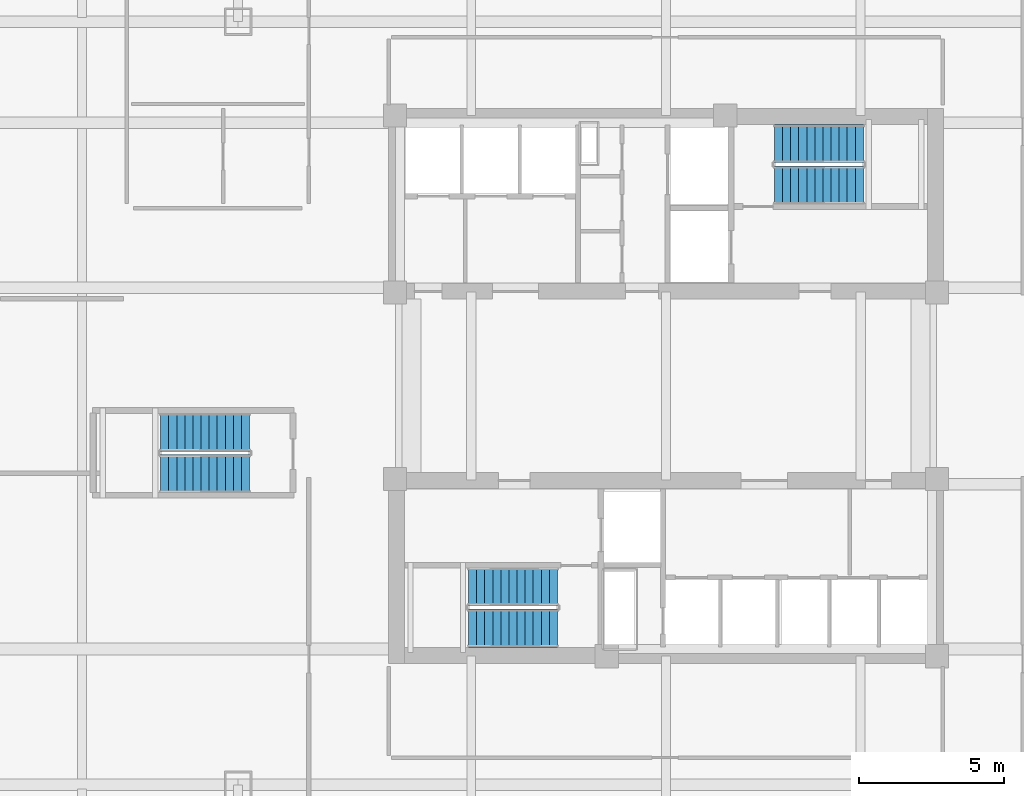
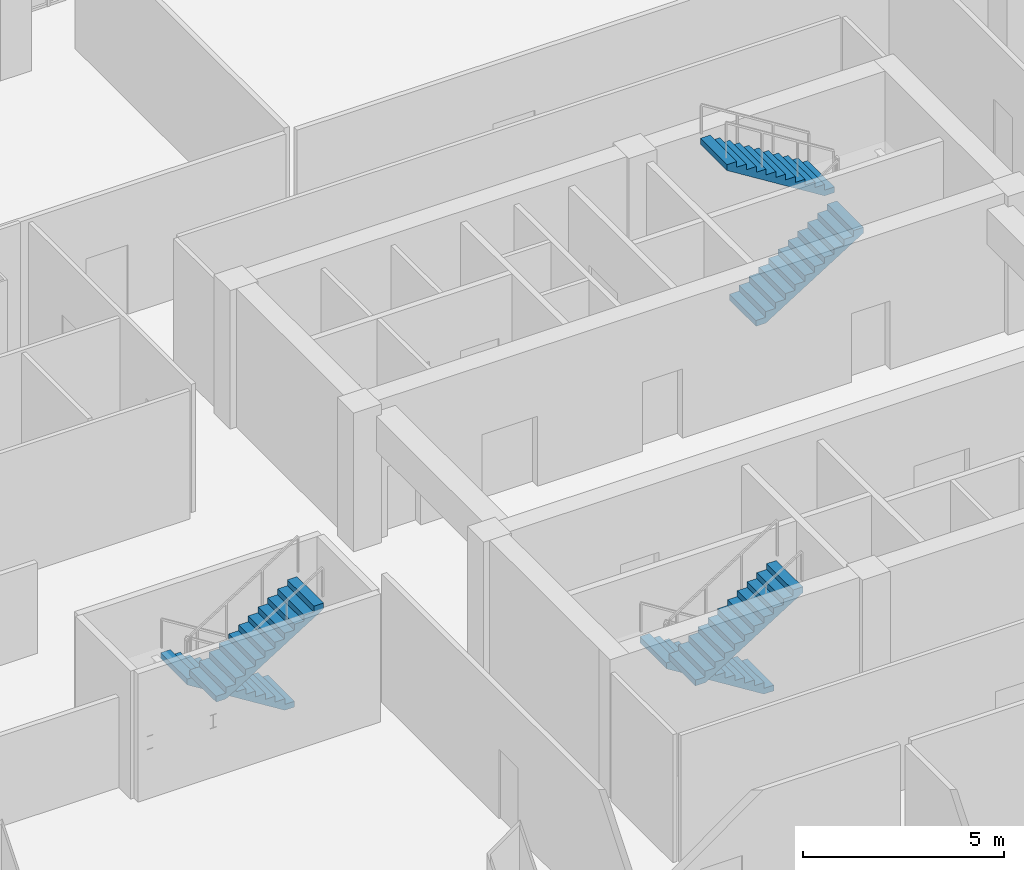
# One storey, part 15 of 21: 6 stair flights, 3 elements without a shape of their own.
"""IFC4 building model written with IfcOpenShell, lengths in metres."""

import ifcopenshell
import ifcopenshell.guid

model = None  # the IFC model being written
_history = None  # IfcOwnerHistory: only IFC2X3 demands one
_inside = {}  # id of a spatial element -> (the spatial element, [elements in it])
_under = {}  # id of a project, library or spatial element -> (it, [spatial elements below it])
_declared = {}  # id of a project -> (the project, [libraries it declares])
_typed = {}  # id of a type object -> (the type object, [elements of that type])
_made_of = {}  # id of a material, layer set ... -> (it, [elements and type objects made of it])


def new_model(schema):
    """Start an empty IFC model of exactly this schema.

    Asked for "IFC4X3", IfcOpenShell would pick the latest addendum, in which some entities
    have other attributes; the version numbers below select the first issue.
    IFC2X3 requires an IfcOwnerHistory on every rooted entity: one is made here for all.
    """
    global model, _history
    if schema == "IFC4X3":
        model = ifcopenshell.file(schema_version=(4, 3, 0, 0))
    else:
        model = ifcopenshell.file(schema=schema)
    _inside.clear()
    _under.clear()
    _declared.clear()
    _typed.clear()
    _made_of.clear()
    _history = None
    if model.schema == "IFC2X3":
        org = make("IfcOrganization", Name="unknown")
        user = make(
            "IfcPersonAndOrganization",
            ThePerson=make("IfcPerson", FamilyName="unknown"),
            TheOrganization=org,
        )
        app = make(
            "IfcApplication",
            ApplicationDeveloper=org,
            Version="unknown",
            ApplicationFullName="unknown",
            ApplicationIdentifier="unknown",
        )
        _history = make(
            "IfcOwnerHistory",
            OwningUser=user,
            OwningApplication=app,
            ChangeAction="ADDED",
            CreationDate=0,
        )
    return model


def make(cls, **values):
    """One entity of the class cls with the attributes given. An attribute that is None is left unset."""
    return model.create_entity(
        cls, **{name: value for name, value in values.items() if value is not None}
    )


def rooted(cls, **values):
    """An entity with a GlobalId (a new one), such as an element, a storey or a relation."""
    return make(cls, GlobalId=ifcopenshell.guid.new(), OwnerHistory=_history, **values)


def si_unit(unit_type, name, prefix=None):
    """IfcSIUnit, for example si_unit("LENGTHUNIT", "METRE", prefix="MILLI")."""
    return make("IfcSIUnit", UnitType=unit_type, Prefix=prefix, Name=name)


def assignment(units):
    """IfcUnitAssignment: the units of a project."""
    return None if units is None else make("IfcUnitAssignment", Units=units)


def point(xyz):
    """IfcCartesianPoint."""
    return None if xyz is None else make("IfcCartesianPoint", Coordinates=xyz)


def direction(xyz):
    """IfcDirection."""
    return None if xyz is None else make("IfcDirection", DirectionRatios=xyz)


def frame(location, z_axis=None, x_axis=None):
    """IfcAxis2Placement3D, a coordinate frame: its origin and axes. An axis left out is left unset."""
    return make(
        "IfcAxis2Placement3D",
        Location=point(location),
        Axis=direction(z_axis),
        RefDirection=direction(x_axis),
    )


def origin():
    """The frame at (0, 0, 0) with its axes left unset."""
    return frame((0.0, 0.0, 0.0))


def place(relative_to, where):
    """IfcLocalPlacement: puts the frame where relative to a parent placement (None: the world)."""
    return make(
        "IfcLocalPlacement", PlacementRelTo=relative_to, RelativePlacement=where
    )


def context(
    kind, dimensions, precision=None, world=None, true_north=None, identifier=None
):
    """IfcGeometricRepresentationContext, for example the 3D "Model" context."""
    return make(
        "IfcGeometricRepresentationContext",
        ContextIdentifier=identifier,
        ContextType=kind,
        CoordinateSpaceDimension=dimensions,
        Precision=precision,
        WorldCoordinateSystem=world,
        TrueNorth=true_north,
    )


def subcontext(parent, identifier, kind, view, scale=None):
    """IfcGeometricRepresentationSubContext, for example "Body" below "Model"."""
    return make(
        "IfcGeometricRepresentationSubContext",
        ContextIdentifier=identifier,
        ContextType=kind,
        ParentContext=parent,
        TargetScale=scale,
        TargetView=view,
    )


def project(units=None, contexts=None):
    """IfcProject with its units and contexts."""
    return rooted(
        "IfcProject",
        Name="project",
        RepresentationContexts=contexts,
        UnitsInContext=assignment(units),
    )


def spatial(cls, under=None, at=None, **own):
    """A site, building, storey or space (cls), placed at a placement, below another one or the project."""
    s = rooted(cls, ObjectPlacement=at, **own)
    if under is not None:
        _under.setdefault(under.id(), (under, []))[1].append(s)
    return s


def polyline(points):
    """IfcPolyline through the points."""
    return make("IfcPolyline", Points=[point(p) for p in points])


def outline(outer, holes=None, kind="AREA"):
    """IfcArbitraryClosedProfileDef: a profile drawn as a closed curve; with holes, ...WithVoids."""
    if holes is None:
        return make("IfcArbitraryClosedProfileDef", ProfileType=kind, OuterCurve=outer)
    return make(
        "IfcArbitraryProfileDefWithVoids",
        ProfileType=kind,
        OuterCurve=outer,
        InnerCurves=holes,
    )


def extrude(swept, where, along, depth):
    """IfcExtrudedAreaSolid: the profile swept, set in the frame where, extruded along a direction by depth."""
    return make(
        "IfcExtrudedAreaSolid",
        SweptArea=swept,
        Position=where,
        ExtrudedDirection=direction(along),
        Depth=depth,
    )


def shape(context_of_items, identifier, shape_type, items):
    """IfcShapeRepresentation: the items that make up one representation, for example the "Body"."""
    return make(
        "IfcShapeRepresentation",
        ContextOfItems=context_of_items,
        RepresentationIdentifier=identifier,
        RepresentationType=shape_type,
        Items=items,
    )


def material(Name=None, Category=None):
    """IfcMaterial."""
    return make("IfcMaterial", Name=Name, Category=Category)


def made_of(thing, what):
    """Note that an element or type object is made of a material, layer set ...; save() writes the relation."""
    if what is not None:
        _made_of.setdefault(what.id(), (what, []))[1].append(thing)
    return thing


def type_object(cls, material=None, **own):
    """A type object (cls), such as IfcWallType, which elements share."""
    return made_of(rooted(cls, **own), material)


def element(
    cls,
    number,
    at=None,
    inside=None,
    cuts=None,
    type_object=None,
    material=None,
    context=None,
    identifier="Body",
    shape_type=None,
    held_by="IfcProductDefinitionShape",
    body=None,
    shapes=None,
    **own,
):
    """One element of the class cls, such as IfcWall. Its Tag is "e" and its number.

    at: its placement. inside: the storey or other place that contains it. cuts: it is an
    opening in that element (IfcRelVoidsElement). A single representation is given by context,
    identifier, shape_type and body (its items); several are given by shapes. held_by: the class
    of the entity that holds the representations. save() writes the other relations.
    """
    e = rooted(cls, Tag="e%d" % number, ObjectPlacement=at, **own)
    if body is not None:
        shapes = [shape(context, identifier, shape_type, body)]
    if shapes is not None:
        e.Representation = make(held_by, Representations=shapes)
    if inside is not None:
        _inside.setdefault(inside.id(), (inside, []))[1].append(e)
    if cuts is not None:
        rooted(
            "IfcRelVoidsElement", RelatingBuildingElement=cuts, RelatedOpeningElement=e
        )
    if type_object is not None:
        _typed.setdefault(type_object.id(), (type_object, []))[1].append(e)
    return made_of(e, material)


def aggregate(whole, parts):
    """IfcRelAggregates: a whole, such as a stair, and the parts it consists of."""
    return rooted("IfcRelAggregates", RelatingObject=whole, RelatedObjects=parts)


def save(model, path):
    """Write the relations noted so far, then the file.

    IfcRelAggregates (storeys below a building ...), IfcRelContainedInSpatialStructure (elements
    in a storey), IfcRelDefinesByType, IfcRelAssociatesMaterial and IfcRelDeclares: one each for
    every whole, place, type object, material and project.
    """
    for whole, parts in _under.values():
        aggregate(whole, parts)
    for where, things in _inside.values():
        rooted(
            "IfcRelContainedInSpatialStructure",
            RelatedElements=things,
            RelatingStructure=where,
        )
    for kind, things in _typed.values():
        rooted("IfcRelDefinesByType", RelatedObjects=things, RelatingType=kind)
    for what, things in _made_of.values():
        rooted("IfcRelAssociatesMaterial", RelatedObjects=things, RelatingMaterial=what)
    for by, libraries in _declared.values():
        rooted("IfcRelDeclares", RelatingContext=by, RelatedDefinitions=libraries)
    model.write(path)


model = new_model("IFC4")

# Units and contexts
model_context = context("Model", 3, precision=1e-05, world=origin(), true_north=direction((0.0, 1.0)))
body_context = subcontext(model_context, "Body", "Model", "MODEL_VIEW")
ifc_project = project(units=[si_unit("LENGTHUNIT", "METRE"), si_unit("AREAUNIT", "SQUARE_METRE"), si_unit("VOLUMEUNIT", "CUBIC_METRE"), si_unit("PLANEANGLEUNIT", "RADIAN"), si_unit("MASSUNIT", "GRAM", prefix="KILO")], contexts=[model_context])

# Site, building, storey
site_placement = place(None, origin())
site = spatial("IfcSite", under=ifc_project, at=site_placement, CompositionType="ELEMENT")
building_placement = place(site_placement, origin())
building = spatial("IfcBuilding", under=site, at=building_placement, Name="Qhalaya Broadcast Tower", CompositionType="ELEMENT")
storey_placement = place(building_placement, frame((0.0, 0.0, 13.5)))
storey = spatial("IfcBuildingStorey", under=building, at=storey_placement, Name="L03", CompositionType="ELEMENT", Elevation=13.5)

# Stair, stair flights
ifc_material_1 = material(Name="Concrete C40/50", Category="concrete")
stair_type = type_object("IfcStairType", Name="Protected Dogleg Core Stair 4200", PredefinedType="TWO_STRAIGHT_RUN_STAIR", material=ifc_material_1)
stair_1_placement = place(storey_placement, origin())
stair_1 = element("IfcStair", 1, at=stair_1_placement, inside=storey, type_object=stair_type, Name="L03 North Core Exit Stair ST-1", PredefinedType="TWO_STRAIGHT_RUN_STAIR")
ifc_material_2 = material(Name="Precast Concrete C40/50", Category="concrete")
stair_flight_type = type_object("IfcStairFlightType", Name="Precast Concrete Stair Flight 4200", PredefinedType="STRAIGHT", material=ifc_material_2)
stair_flight_1_placement = place(storey_placement, frame((3.75, 7.5400390625, 0.0), z_axis=(0.0, 0.0, 1.0), x_axis=(1.0, 0.0, 0.0)))
stair_flight_1 = element("IfcStairFlight", 2, at=stair_flight_1_placement, type_object=stair_flight_type, Name="ST-1 flight 1", NumberOfRisers=12, NumberOfTreads=11, PredefinedType="STRAIGHT", RiserHeight=0.175, TreadLength=0.28, context=body_context, shape_type="SweptSolid", body=[
    extrude(outline(polyline([(0.0, 0.0), (0.0, 0.175048828125), (0.280029296875, 0.175048828125), (0.280029296875, 0.35009765625), (0.56005859375, 0.35009765625), (0.56005859375, 0.52490234375), (0.840087890625, 0.52490234375), (0.840087890625, 0.699951171875), (1.1201171875, 0.699951171875), (1.1201171875, 0.875), (1.39990234375, 0.875), (1.39990234375, 1.050048828125), (1.679931640625, 1.050048828125), (1.679931640625, 1.22509765625), (1.9599609375, 1.22509765625), (1.9599609375, 1.39990234375), (2.239990234375, 1.39990234375), (2.239990234375, 1.574951171875), (2.52001953125, 1.574951171875), (2.52001953125, 1.75), (2.800048828125, 1.75), (2.800048828125, 1.925048828125), (3.080078125, 1.925048828125), (3.080078125, 2.10009765625), (3.080078125, 1.748291015625), (0.28271484375, 0.0), (0.0, 0.0)])), frame((0.0, 0.66015625, 0.0), z_axis=(0.0, -1.0, 0.0), x_axis=(1.0, 0.0, 0.0)), (0.0, 0.0, 1.0), 1.320068359375),
])
stair_flight_2_placement = place(storey_placement, frame((6.830078125, 8.97998046875, 2.10009765625), z_axis=(0.0, 0.0, 1.0), x_axis=(-1.0, 0.0, 0.0)))
stair_flight_2 = element("IfcStairFlight", 3, at=stair_flight_2_placement, type_object=stair_flight_type, Name="ST-1 flight 2", NumberOfRisers=12, NumberOfTreads=11, PredefinedType="STRAIGHT", RiserHeight=0.175, TreadLength=0.28, context=body_context, shape_type="SweptSolid", body=[
    extrude(outline(polyline([(0.0, 0.0), (0.0, 0.175048828125), (0.280029296875, 0.175048828125), (0.280029296875, 0.35009765625), (0.56005859375, 0.35009765625), (0.56005859375, 0.52490234375), (0.840087890625, 0.52490234375), (0.840087890625, 0.699951171875), (1.1201171875, 0.699951171875), (1.1201171875, 0.875), (1.39990234375, 0.875), (1.39990234375, 1.050048828125), (1.679931640625, 1.050048828125), (1.679931640625, 1.22509765625), (1.9599609375, 1.22509765625), (1.9599609375, 1.39990234375), (2.239990234375, 1.39990234375), (2.239990234375, 1.574951171875), (2.52001953125, 1.574951171875), (2.52001953125, 1.75), (2.800048828125, 1.75), (2.800048828125, 1.925048828125), (3.080078125, 1.925048828125), (3.080078125, 2.10009765625), (3.080078125, 1.748291015625), (0.28271484375, 0.0), (0.0, 0.0)])), frame((0.0, 0.66015625, 0.0), z_axis=(0.0, -1.0, 0.0), x_axis=(1.0, 0.0, 0.0)), (0.0, 0.0, 1.0), 1.320068359375),
])
aggregate(stair_1, [stair_flight_1, stair_flight_2])

stair_2_placement = place(storey_placement, origin())
stair_2 = element("IfcStair", 4, at=stair_2_placement, inside=storey, type_object=stair_type, Name="L03 South Core Exit Stair ST-2", PredefinedType="TWO_STRAIGHT_RUN_STAIR")
stair_flight_3_placement = place(storey_placement, frame((-3.75, -6.340087890625, 0.0), z_axis=(0.0, 0.0, 1.0), x_axis=(-1.0, 0.0, 0.0)))
stair_flight_3 = element("IfcStairFlight", 5, at=stair_flight_3_placement, type_object=stair_flight_type, Name="ST-2 flight 1", NumberOfRisers=12, NumberOfTreads=11, PredefinedType="STRAIGHT", RiserHeight=0.175, TreadLength=0.28, context=body_context, shape_type="SweptSolid", body=[
    extrude(outline(polyline([(0.0, 0.0), (0.0, 0.175048828125), (0.280029296875, 0.175048828125), (0.280029296875, 0.35009765625), (0.56005859375, 0.35009765625), (0.56005859375, 0.52490234375), (0.840087890625, 0.52490234375), (0.840087890625, 0.699951171875), (1.1201171875, 0.699951171875), (1.1201171875, 0.875), (1.39990234375, 0.875), (1.39990234375, 1.050048828125), (1.679931640625, 1.050048828125), (1.679931640625, 1.22509765625), (1.9599609375, 1.22509765625), (1.9599609375, 1.39990234375), (2.239990234375, 1.39990234375), (2.239990234375, 1.574951171875), (2.52001953125, 1.574951171875), (2.52001953125, 1.75), (2.800048828125, 1.75), (2.800048828125, 1.925048828125), (3.080078125, 1.925048828125), (3.080078125, 2.10009765625), (3.080078125, 1.748291015625), (0.28271484375, 0.0), (0.0, 0.0)])), frame((0.0, 0.66015625, 0.0), z_axis=(0.0, -1.0, 0.0), x_axis=(1.0, 0.0, 0.0)), (0.0, 0.0, 1.0), 1.320068359375),
])
stair_flight_4_placement = place(storey_placement, frame((-6.830078125, -7.780029296875, 2.10009765625), z_axis=(0.0, 0.0, 1.0), x_axis=(1.0, 0.0, 0.0)))
stair_flight_4 = element("IfcStairFlight", 6, at=stair_flight_4_placement, type_object=stair_flight_type, Name="ST-2 flight 2", NumberOfRisers=12, NumberOfTreads=11, PredefinedType="STRAIGHT", RiserHeight=0.175, TreadLength=0.28, context=body_context, shape_type="SweptSolid", body=[
    extrude(outline(polyline([(0.0, 0.0), (0.0, 0.175048828125), (0.280029296875, 0.175048828125), (0.280029296875, 0.35009765625), (0.56005859375, 0.35009765625), (0.56005859375, 0.52490234375), (0.840087890625, 0.52490234375), (0.840087890625, 0.699951171875), (1.1201171875, 0.699951171875), (1.1201171875, 0.875), (1.39990234375, 0.875), (1.39990234375, 1.050048828125), (1.679931640625, 1.050048828125), (1.679931640625, 1.22509765625), (1.9599609375, 1.22509765625), (1.9599609375, 1.39990234375), (2.239990234375, 1.39990234375), (2.239990234375, 1.574951171875), (2.52001953125, 1.574951171875), (2.52001953125, 1.75), (2.800048828125, 1.75), (2.800048828125, 1.925048828125), (3.080078125, 1.925048828125), (3.080078125, 2.10009765625), (3.080078125, 1.748291015625), (0.28271484375, 0.0), (0.0, 0.0)])), frame((0.0, 0.66015625, 0.0), z_axis=(0.0, -1.0, 0.0), x_axis=(1.0, 0.0, 0.0)), (0.0, 0.0, 1.0), 1.320068359375),
])
aggregate(stair_2, [stair_flight_3, stair_flight_4])

stair_3_placement = place(storey_placement, origin())
stair_3 = element("IfcStair", 7, at=stair_3_placement, inside=storey, type_object=stair_type, Name="L03 Podium West Escape Stair ST-P1", PredefinedType="TWO_STRAIGHT_RUN_STAIR")
stair_flight_5_placement = place(storey_placement, frame((-14.39990234375, -1.0, 0.0), z_axis=(0.0, 0.0, 1.0), x_axis=(-1.0, 0.0, 0.0)))
stair_flight_5 = element("IfcStairFlight", 8, at=stair_flight_5_placement, type_object=stair_flight_type, Name="ST-P1 flight 1", NumberOfRisers=12, NumberOfTreads=11, PredefinedType="STRAIGHT", RiserHeight=0.175, TreadLength=0.28, context=body_context, shape_type="SweptSolid", body=[
    extrude(outline(polyline([(0.0, 0.0), (0.0, 0.175048828125), (0.280029296875, 0.175048828125), (0.280029296875, 0.35009765625), (0.56005859375, 0.35009765625), (0.56005859375, 0.52490234375), (0.840087890625, 0.52490234375), (0.840087890625, 0.699951171875), (1.1201171875, 0.699951171875), (1.1201171875, 0.875), (1.39990234375, 0.875), (1.39990234375, 1.050048828125), (1.679931640625, 1.050048828125), (1.679931640625, 1.22509765625), (1.9599609375, 1.22509765625), (1.9599609375, 1.39990234375), (2.239990234375, 1.39990234375), (2.239990234375, 1.574951171875), (2.52001953125, 1.574951171875), (2.52001953125, 1.75), (2.800048828125, 1.75), (2.800048828125, 1.925048828125), (3.080078125, 1.925048828125), (3.080078125, 2.10009765625), (3.080078125, 1.748291015625), (0.28271484375, 0.0), (0.0, 0.0)])), frame((0.0, 0.66015625, 0.0), z_axis=(0.0, -1.0, 0.0), x_axis=(1.0, 0.0, 0.0)), (0.0, 0.0, 1.0), 1.320068359375),
])
stair_flight_6_placement = place(storey_placement, frame((-17.47998046875, -2.43994140625, 2.10009765625), z_axis=(0.0, 0.0, 1.0), x_axis=(1.0, 0.0, 0.0)))
stair_flight_6 = element("IfcStairFlight", 9, at=stair_flight_6_placement, type_object=stair_flight_type, Name="ST-P1 flight 2", NumberOfRisers=12, NumberOfTreads=11, PredefinedType="STRAIGHT", RiserHeight=0.175, TreadLength=0.28, context=body_context, shape_type="SweptSolid", body=[
    extrude(outline(polyline([(0.0, 0.0), (0.0, 0.175048828125), (0.280029296875, 0.175048828125), (0.280029296875, 0.35009765625), (0.56005859375, 0.35009765625), (0.56005859375, 0.52490234375), (0.840087890625, 0.52490234375), (0.840087890625, 0.699951171875), (1.1201171875, 0.699951171875), (1.1201171875, 0.875), (1.39990234375, 0.875), (1.39990234375, 1.050048828125), (1.679931640625, 1.050048828125), (1.679931640625, 1.22509765625), (1.9599609375, 1.22509765625), (1.9599609375, 1.39990234375), (2.239990234375, 1.39990234375), (2.239990234375, 1.574951171875), (2.52001953125, 1.574951171875), (2.52001953125, 1.75), (2.800048828125, 1.75), (2.800048828125, 1.925048828125), (3.080078125, 1.925048828125), (3.080078125, 2.10009765625), (3.080078125, 1.748291015625), (0.28271484375, 0.0), (0.0, 0.0)])), frame((0.0, 0.66015625, 0.0), z_axis=(0.0, -1.0, 0.0), x_axis=(1.0, 0.0, 0.0)), (0.0, 0.0, 1.0), 1.320068359375),
])
aggregate(stair_3, [stair_flight_5, stair_flight_6])

save(model, "model.ifc")
